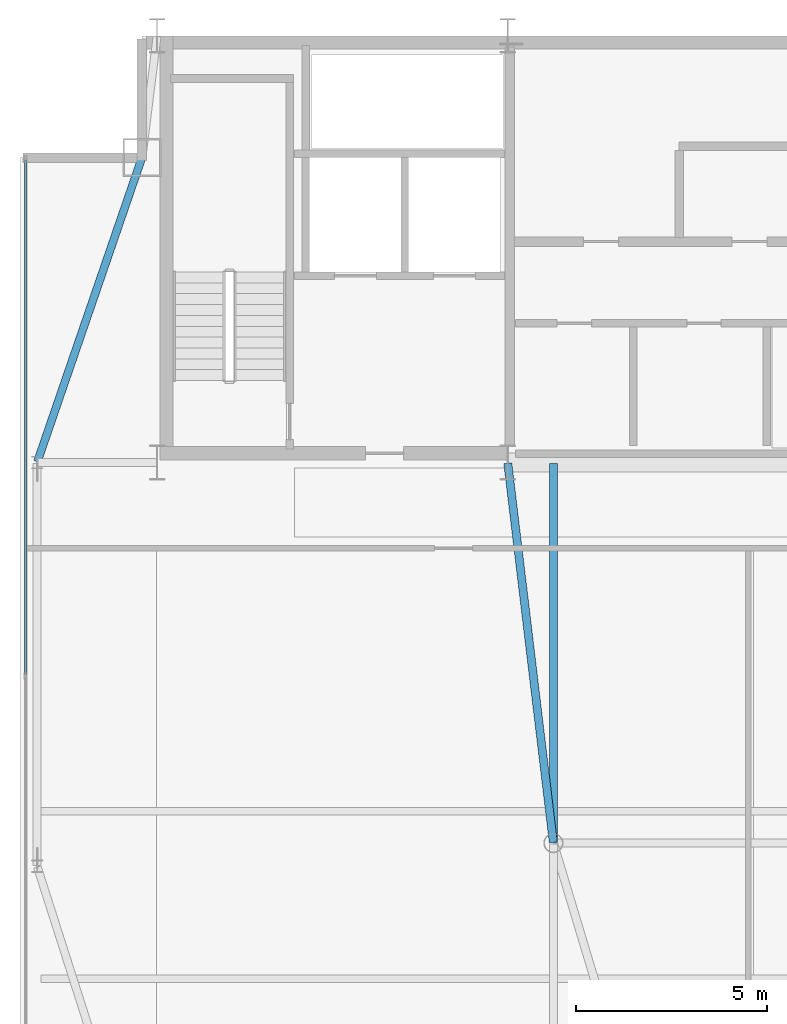
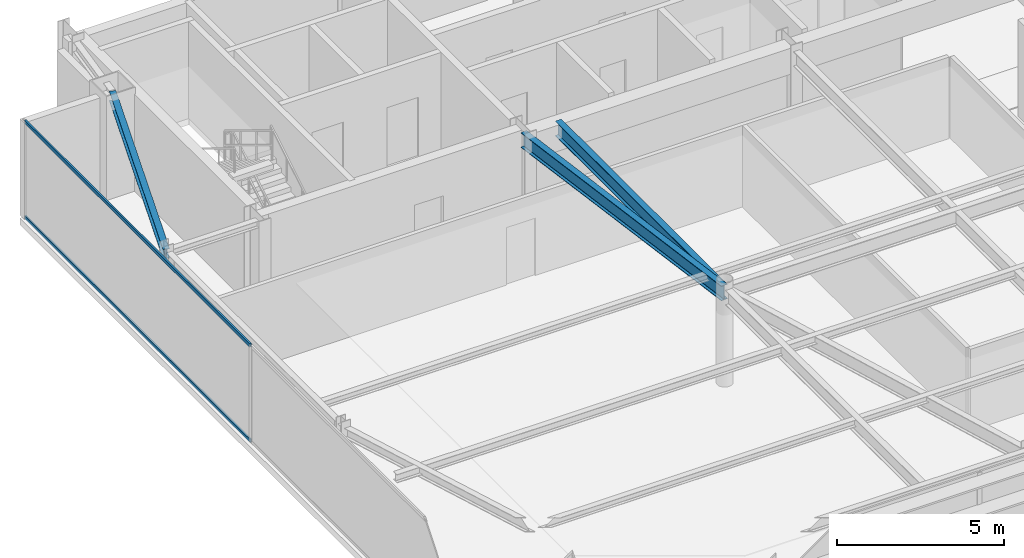
# One storey, part 11 of 24: 3 beams, 2 members, 1 element without a shape of its own.
"""IFC4 building model written with IfcOpenShell, lengths in metres."""

import ifcopenshell
import ifcopenshell.guid

model = None  # the IFC model being written
_history = None  # IfcOwnerHistory: only IFC2X3 demands one
_inside = {}  # id of a spatial element -> (the spatial element, [elements in it])
_under = {}  # id of a project, library or spatial element -> (it, [spatial elements below it])
_declared = {}  # id of a project -> (the project, [libraries it declares])
_typed = {}  # id of a type object -> (the type object, [elements of that type])
_made_of = {}  # id of a material, layer set ... -> (it, [elements and type objects made of it])


def new_model(schema):
    """Start an empty IFC model of exactly this schema.

    Asked for "IFC4X3", IfcOpenShell would pick the latest addendum, in which some entities
    have other attributes; the version numbers below select the first issue.
    IFC2X3 requires an IfcOwnerHistory on every rooted entity: one is made here for all.
    """
    global model, _history
    if schema == "IFC4X3":
        model = ifcopenshell.file(schema_version=(4, 3, 0, 0))
    else:
        model = ifcopenshell.file(schema=schema)
    _inside.clear()
    _under.clear()
    _declared.clear()
    _typed.clear()
    _made_of.clear()
    _history = None
    if model.schema == "IFC2X3":
        org = make("IfcOrganization", Name="unknown")
        user = make(
            "IfcPersonAndOrganization",
            ThePerson=make("IfcPerson", FamilyName="unknown"),
            TheOrganization=org,
        )
        app = make(
            "IfcApplication",
            ApplicationDeveloper=org,
            Version="unknown",
            ApplicationFullName="unknown",
            ApplicationIdentifier="unknown",
        )
        _history = make(
            "IfcOwnerHistory",
            OwningUser=user,
            OwningApplication=app,
            ChangeAction="ADDED",
            CreationDate=0,
        )
    return model


def make(cls, **values):
    """One entity of the class cls with the attributes given. An attribute that is None is left unset."""
    return model.create_entity(
        cls, **{name: value for name, value in values.items() if value is not None}
    )


def rooted(cls, **values):
    """An entity with a GlobalId (a new one), such as an element, a storey or a relation."""
    return make(cls, GlobalId=ifcopenshell.guid.new(), OwnerHistory=_history, **values)


def si_unit(unit_type, name, prefix=None):
    """IfcSIUnit, for example si_unit("LENGTHUNIT", "METRE", prefix="MILLI")."""
    return make("IfcSIUnit", UnitType=unit_type, Prefix=prefix, Name=name)


def assignment(units):
    """IfcUnitAssignment: the units of a project."""
    return None if units is None else make("IfcUnitAssignment", Units=units)


def point(xyz):
    """IfcCartesianPoint."""
    return None if xyz is None else make("IfcCartesianPoint", Coordinates=xyz)


def direction(xyz):
    """IfcDirection."""
    return None if xyz is None else make("IfcDirection", DirectionRatios=xyz)


def frame(location, z_axis=None, x_axis=None):
    """IfcAxis2Placement3D, a coordinate frame: its origin and axes. An axis left out is left unset."""
    return make(
        "IfcAxis2Placement3D",
        Location=point(location),
        Axis=direction(z_axis),
        RefDirection=direction(x_axis),
    )


def frame_2d(location, x_axis=None):
    """IfcAxis2Placement2D, a coordinate frame in the plane: its origin and x axis."""
    return make(
        "IfcAxis2Placement2D", Location=point(location), RefDirection=direction(x_axis)
    )


def origin():
    """The frame at (0, 0, 0) with its axes left unset."""
    return frame((0.0, 0.0, 0.0))


def origin_2d():
    """The frame at (0, 0) in the plane with its x axis left unset."""
    return frame_2d((0.0, 0.0))


def place(relative_to, where):
    """IfcLocalPlacement: puts the frame where relative to a parent placement (None: the world)."""
    return make(
        "IfcLocalPlacement", PlacementRelTo=relative_to, RelativePlacement=where
    )


def context(
    kind, dimensions, precision=None, world=None, true_north=None, identifier=None
):
    """IfcGeometricRepresentationContext, for example the 3D "Model" context."""
    return make(
        "IfcGeometricRepresentationContext",
        ContextIdentifier=identifier,
        ContextType=kind,
        CoordinateSpaceDimension=dimensions,
        Precision=precision,
        WorldCoordinateSystem=world,
        TrueNorth=true_north,
    )


def subcontext(parent, identifier, kind, view, scale=None):
    """IfcGeometricRepresentationSubContext, for example "Body" below "Model"."""
    return make(
        "IfcGeometricRepresentationSubContext",
        ContextIdentifier=identifier,
        ContextType=kind,
        ParentContext=parent,
        TargetScale=scale,
        TargetView=view,
    )


def project(units=None, contexts=None):
    """IfcProject with its units and contexts."""
    return rooted(
        "IfcProject",
        Name="project",
        RepresentationContexts=contexts,
        UnitsInContext=assignment(units),
    )


def spatial(cls, under=None, at=None, **own):
    """A site, building, storey or space (cls), placed at a placement, below another one or the project."""
    s = rooted(cls, ObjectPlacement=at, **own)
    if under is not None:
        _under.setdefault(under.id(), (under, []))[1].append(s)
    return s


def profile(cls, at=None, kind="AREA", **sizes):
    """A parametric profile (cls). Its sizes go by their IFC names, for example OverallWidth=200.0."""
    return make(cls, ProfileType=kind, Position=at, **sizes)


def hollow_rectangle(**sizes):
    """IfcRectangleHollowProfileDef."""
    return profile("IfcRectangleHollowProfileDef", **sizes)


def i_section(**sizes):
    """IfcIShapeProfileDef."""
    return profile("IfcIShapeProfileDef", **sizes)


def extrude(swept, where, along, depth):
    """IfcExtrudedAreaSolid: the profile swept, set in the frame where, extruded along a direction by depth."""
    return make(
        "IfcExtrudedAreaSolid",
        SweptArea=swept,
        Position=where,
        ExtrudedDirection=direction(along),
        Depth=depth,
    )


def shape(context_of_items, identifier, shape_type, items):
    """IfcShapeRepresentation: the items that make up one representation, for example the "Body"."""
    return make(
        "IfcShapeRepresentation",
        ContextOfItems=context_of_items,
        RepresentationIdentifier=identifier,
        RepresentationType=shape_type,
        Items=items,
    )


def source(mapping_origin, context_of_items, identifier, shape_type, items):
    """IfcRepresentationMap: a shape defined once, which mapped items show again and again."""
    return make(
        "IfcRepresentationMap",
        MappingOrigin=mapping_origin,
        MappedRepresentation=shape(context_of_items, identifier, shape_type, items),
    )


def transform(
    local_origin,
    x_axis=None,
    y_axis=None,
    z_axis=None,
    scale=None,
    scale2=None,
    scale3=None,
    uniform=True,
):
    """IfcCartesianTransformationOperator3D, or its non-uniform kind. x_axis, y_axis, z_axis: its Axis1, 2, 3."""
    if uniform:
        return make(
            "IfcCartesianTransformationOperator3D",
            Axis1=direction(x_axis),
            Axis2=direction(y_axis),
            LocalOrigin=point(local_origin),
            Scale=scale,
            Axis3=direction(z_axis),
        )
    return make(
        "IfcCartesianTransformationOperator3DnonUniform",
        Axis1=direction(x_axis),
        Axis2=direction(y_axis),
        LocalOrigin=point(local_origin),
        Scale=scale,
        Axis3=direction(z_axis),
        Scale2=scale2,
        Scale3=scale3,
    )


def mapped(mapping_source, mapping_target):
    """IfcMappedItem: shows the shape of a source again, moved by a transform."""
    return make(
        "IfcMappedItem", MappingSource=mapping_source, MappingTarget=mapping_target
    )


def material(Name=None, Category=None):
    """IfcMaterial."""
    return make("IfcMaterial", Name=Name, Category=Category)


def layer(
    of_material, thickness, ventilated=None, Name=None, Category=None, Priority=None
):
    """IfcMaterialLayer: one layer of a wall or slab, of a material (None: an air gap)."""
    return make(
        "IfcMaterialLayer",
        Material=of_material,
        LayerThickness=thickness,
        IsVentilated=ventilated,
        Name=Name,
        Category=Category,
        Priority=Priority,
    )


def layer_set(layers, Name=None):
    """IfcMaterialLayerSet."""
    return make("IfcMaterialLayerSet", MaterialLayers=layers, LayerSetName=Name)


def material_profile(
    of_material, cross_section, Name=None, Category=None, Priority=None
):
    """IfcMaterialProfile: a cross section and its material."""
    return make(
        "IfcMaterialProfile",
        Name=Name,
        Material=of_material,
        Profile=cross_section,
        Priority=Priority,
        Category=Category,
    )


def profile_set(profiles, Name=None, composite=None):
    """IfcMaterialProfileSet."""
    return make(
        "IfcMaterialProfileSet",
        Name=Name,
        MaterialProfiles=profiles,
        CompositeProfile=composite,
    )


def made_of(thing, what):
    """Note that an element or type object is made of a material, layer set ...; save() writes the relation."""
    if what is not None:
        _made_of.setdefault(what.id(), (what, []))[1].append(thing)
    return thing


def type_object(cls, material=None, **own):
    """A type object (cls), such as IfcWallType, which elements share."""
    return made_of(rooted(cls, **own), material)


def type_shapes(of_type, sources):
    """Give a type object the sources (RepresentationMaps) that its elements show as mapped items."""
    of_type.RepresentationMaps = sources


def element(
    cls,
    number,
    at=None,
    inside=None,
    cuts=None,
    type_object=None,
    material=None,
    context=None,
    identifier="Body",
    shape_type=None,
    held_by="IfcProductDefinitionShape",
    body=None,
    shapes=None,
    **own,
):
    """One element of the class cls, such as IfcWall. Its Tag is "e" and its number.

    at: its placement. inside: the storey or other place that contains it. cuts: it is an
    opening in that element (IfcRelVoidsElement). A single representation is given by context,
    identifier, shape_type and body (its items); several are given by shapes. held_by: the class
    of the entity that holds the representations. save() writes the other relations.
    """
    e = rooted(cls, Tag="e%d" % number, ObjectPlacement=at, **own)
    if body is not None:
        shapes = [shape(context, identifier, shape_type, body)]
    if shapes is not None:
        e.Representation = make(held_by, Representations=shapes)
    if inside is not None:
        _inside.setdefault(inside.id(), (inside, []))[1].append(e)
    if cuts is not None:
        rooted(
            "IfcRelVoidsElement", RelatingBuildingElement=cuts, RelatedOpeningElement=e
        )
    if type_object is not None:
        _typed.setdefault(type_object.id(), (type_object, []))[1].append(e)
    return made_of(e, material)


def aggregate(whole, parts):
    """IfcRelAggregates: a whole, such as a stair, and the parts it consists of."""
    return rooted("IfcRelAggregates", RelatingObject=whole, RelatedObjects=parts)


def save(model, path):
    """Write the relations noted so far, then the file.

    IfcRelAggregates (storeys below a building ...), IfcRelContainedInSpatialStructure (elements
    in a storey), IfcRelDefinesByType, IfcRelAssociatesMaterial and IfcRelDeclares: one each for
    every whole, place, type object, material and project.
    """
    for whole, parts in _under.values():
        aggregate(whole, parts)
    for where, things in _inside.values():
        rooted(
            "IfcRelContainedInSpatialStructure",
            RelatedElements=things,
            RelatingStructure=where,
        )
    for kind, things in _typed.values():
        rooted("IfcRelDefinesByType", RelatedObjects=things, RelatingType=kind)
    for what, things in _made_of.values():
        rooted("IfcRelAssociatesMaterial", RelatedObjects=things, RelatingMaterial=what)
    for by, libraries in _declared.values():
        rooted("IfcRelDeclares", RelatingContext=by, RelatedDefinitions=libraries)
    model.write(path)


model = new_model("IFC4")

# Units and contexts
model_context = context("Model", 3, precision=1e-05, world=origin(), true_north=direction((0.0, 1.0)))
body_context = subcontext(model_context, "Body", "Model", "MODEL_VIEW")
ifc_project = project(units=[si_unit("LENGTHUNIT", "METRE"), si_unit("AREAUNIT", "SQUARE_METRE"), si_unit("VOLUMEUNIT", "CUBIC_METRE"), si_unit("PLANEANGLEUNIT", "RADIAN"), si_unit("MASSUNIT", "GRAM", prefix="KILO")], contexts=[model_context])

# Site, building, storey
site_placement = place(None, origin())
site = spatial("IfcSite", under=ifc_project, at=site_placement, CompositionType="ELEMENT")
building_placement = place(site_placement, origin())
building = spatial("IfcBuilding", under=site, at=building_placement, Name="Varnel Quay Broadcast Tower", CompositionType="ELEMENT")
storey_placement = place(building_placement, frame((0.0, 0.0, 269.800048828125)))
storey = spatial("IfcBuildingStorey", under=building, at=storey_placement, Name="L67", CompositionType="ELEMENT", Elevation=269.800048828125)

# Beams
ifc_material_1 = material(Name="Structural Steel CSA G40.21 350W", Category="steel")
ifc_material_profile_1 = material_profile(ifc_material_1, i_section(OverallWidth=0.205078125, OverallDepth=0.35400390625, WebThickness=0.009521484375, FlangeThickness=0.016845703125, FilletRadius=0.012939453125, at=origin_2d()), Name="W360X79")
ifc_profile_set_1 = profile_set([ifc_material_profile_1], Name="Structural Steel CSA G40.21 350W")
beam_type_1 = type_object("IfcBeamType", Name="Beam_W360X79", PredefinedType="SPANDREL", material=ifc_profile_set_1)
shared_shape_1 = source(origin(), body_context, "Body", "SweptSolid", [
    extrude(i_section(OverallWidth=0.205078125, OverallDepth=0.35400390625, WebThickness=0.009521484375, FlangeThickness=0.016845703125, FilletRadius=0.012939453125, at=origin_2d()), origin(), (0.0, 0.0, 1.0), 8.41943359375),
])
type_shapes(beam_type_1, [shared_shape_1])
beam_1_placement = place(storey_placement, frame((12.45654296875, 35.618896484375, 3.373046875), z_axis=(0.325087062108, 0.945684092099, 0.0), x_axis=(-0.945684092099, 0.325087062108, 0.0)))
element("IfcBeam", 1, at=beam_1_placement, inside=storey, type_object=beam_type_1, Name="L67 West Spandrel TC-W2-MC-NW", PredefinedType="SPANDREL", context=body_context, shape_type="MappedRepresentation", body=[
    mapped(shared_shape_1, transform((0.0, 0.0, 0.0), x_axis=(1.0, 0.0, 0.0), y_axis=(0.0, 1.0, 0.0), z_axis=(0.0, 0.0, 1.0), scale=1.0)),
])
ifc_material_profile_2 = material_profile(ifc_material_1, i_section(OverallWidth=0.2119140625, OverallDepth=0.5439453125, WebThickness=0.01318359375, FlangeThickness=0.021240234375, FilletRadius=0.013916015625, at=origin_2d()), Name="W530X123")
ifc_profile_set_2 = profile_set([ifc_material_profile_2], Name="Structural Steel CSA G40.21 350W")
beam_type_2 = type_object("IfcBeamType", Name="Girder_W530X123", PredefinedType="BEAM", material=ifc_profile_set_2)
shared_shape_2 = source(origin(), body_context, "Body", "SweptSolid", [
    extrude(i_section(OverallWidth=0.2119140625, OverallDepth=0.5439453125, WebThickness=0.01318359375, FlangeThickness=0.021240234375, FilletRadius=0.013916015625, at=origin_2d()), origin(), (0.0, 0.0, 1.0), 10.021728515625),
])
beam_2_placement = place(storey_placement, frame((25.99755859375, 25.6298828125, 3.27783203125), z_axis=(-0.119248005741, 0.992864498875, 0.0), x_axis=(-0.992864498875, -0.119248005741, 0.0)))
element("IfcBeam", 2, at=beam_2_placement, inside=storey, type_object=beam_type_2, Name="L67 Primary Girder IC-01-CC-S2", PredefinedType="BEAM", context=body_context, shape_type="MappedRepresentation", body=[
    mapped(shared_shape_2, transform((0.0, 0.0, 0.0), x_axis=(1.0, 0.0, 0.0), y_axis=(0.0, 1.0, 0.0), z_axis=(0.0, 0.0, 1.0), scale=1.0)),
])
shared_shape_3 = source(origin(), body_context, "Body", "SweptSolid", [
    extrude(i_section(OverallWidth=0.2119140625, OverallDepth=0.5439453125, WebThickness=0.01318359375, FlangeThickness=0.021240234375, FilletRadius=0.013916015625, at=origin_2d()), origin(), (0.0, 0.0, 1.0), 9.9501953125),
])
type_shapes(beam_type_2, [shared_shape_2, shared_shape_3])
beam_3_placement = place(storey_placement, frame((26.0, 25.6298828125, 3.27783203125), z_axis=(0.0, 1.0, 0.0), x_axis=(-1.0, 0.0, 0.0)))
element("IfcBeam", 3, at=beam_3_placement, inside=storey, type_object=beam_type_2, Name="L67 N-S Joist Header IC-01N", PredefinedType="BEAM", context=body_context, shape_type="MappedRepresentation", body=[
    mapped(shared_shape_3, transform((0.0, 0.0, 0.0), x_axis=(1.0, 0.0, 0.0), y_axis=(0.0, 1.0, 0.0), z_axis=(0.0, 0.0, 1.0), scale=1.0)),
])

# Curtain wall, members
ifc_material_2 = material(Name="Anodised Bronze Aluminium 6063-T6", Category="aluminium")
ifc_layer = layer(ifc_material_2, 0.18994140625, Name="Anodised Bronze Aluminium 6063-T6")
ifc_layer_set = layer_set([ifc_layer], Name="Anodised Bronze Aluminium 6063-T6")
curtain_wall_type = type_object("IfcCurtainWallType", Name="CW_UpperTower", PredefinedType="NOTDEFINED", material=ifc_layer_set)
curtain_wall_placement = place(storey_placement, origin())
curtain_wall = element("IfcCurtainWall", 4, at=curtain_wall_placement, inside=storey, type_object=curtain_wall_type, Name="L67 West Unitised Curtain Wall", PredefinedType="NOTDEFINED")
ifc_material_profile_3 = material_profile(ifc_material_2, hollow_rectangle(XDim=0.06005859375, YDim=0.125, WallThickness=0.0029296875, at=origin_2d()), Name="ALU60X125X3")
ifc_profile_set_3 = profile_set([ifc_material_profile_3], Name="Anodised Bronze Aluminium 6063-T6")
member_type = type_object("IfcMemberType", Name="Tran_CWS-03", PredefinedType="USERDEFINED", material=ifc_profile_set_3)
shared_shape_4 = source(origin(), body_context, "Body", "SweptSolid", [
    extrude(hollow_rectangle(XDim=0.06005859375, YDim=0.125, WallThickness=0.0029296875, at=origin_2d()), origin(), (0.0, 0.0, 1.0), 13.50244140625),
])
type_shapes(member_type, [shared_shape_4])
member_1_placement = place(storey_placement, frame((12.14990234375, 30.032470703125, 0.030029296875), z_axis=(0.0, 1.0, 0.0), x_axis=(-1.0, 0.0, 0.0)))
member_1 = element("IfcMember", 5, at=member_1_placement, type_object=member_type, Name="CWS-03 transom 2.1", ObjectType="TRANSOM", PredefinedType="USERDEFINED", context=body_context, shape_type="MappedRepresentation", body=[
    mapped(shared_shape_4, transform((0.0, 0.0, 0.0), x_axis=(1.0, 0.0, 0.0), y_axis=(0.0, 1.0, 0.0), z_axis=(0.0, 0.0, 1.0), scale=1.0)),
])
member_2_placement = place(storey_placement, frame((12.14990234375, 30.032470703125, 3.52001953125), z_axis=(0.0, 1.0, 0.0), x_axis=(-1.0, 0.0, 0.0)))
member_2 = element("IfcMember", 6, at=member_2_placement, type_object=member_type, Name="CWS-03 transom 2.2", ObjectType="TRANSOM", PredefinedType="USERDEFINED", context=body_context, shape_type="MappedRepresentation", body=[
    mapped(shared_shape_4, transform((0.0, 0.0, 0.0), x_axis=(1.0, 0.0, 0.0), y_axis=(0.0, 1.0, 0.0), z_axis=(0.0, 0.0, 1.0), scale=1.0)),
])
aggregate(curtain_wall, [member_1, member_2])

save(model, "model.ifc")
